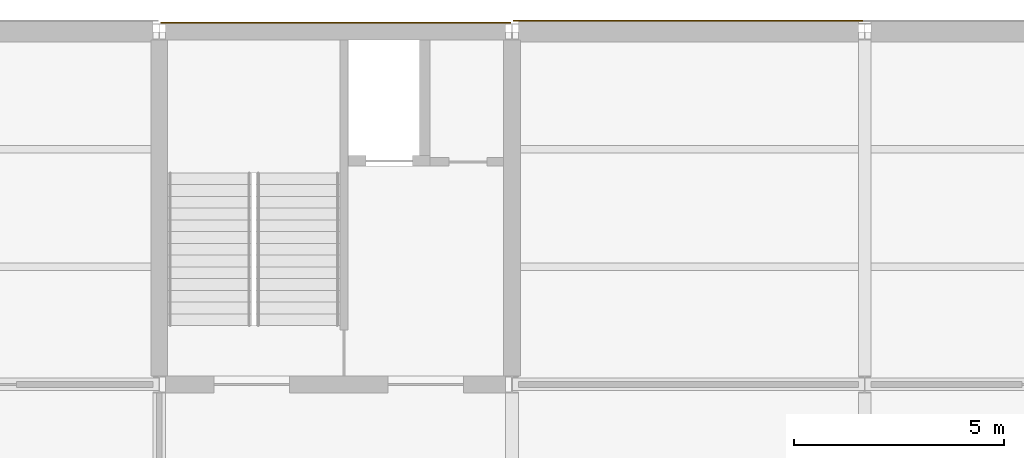
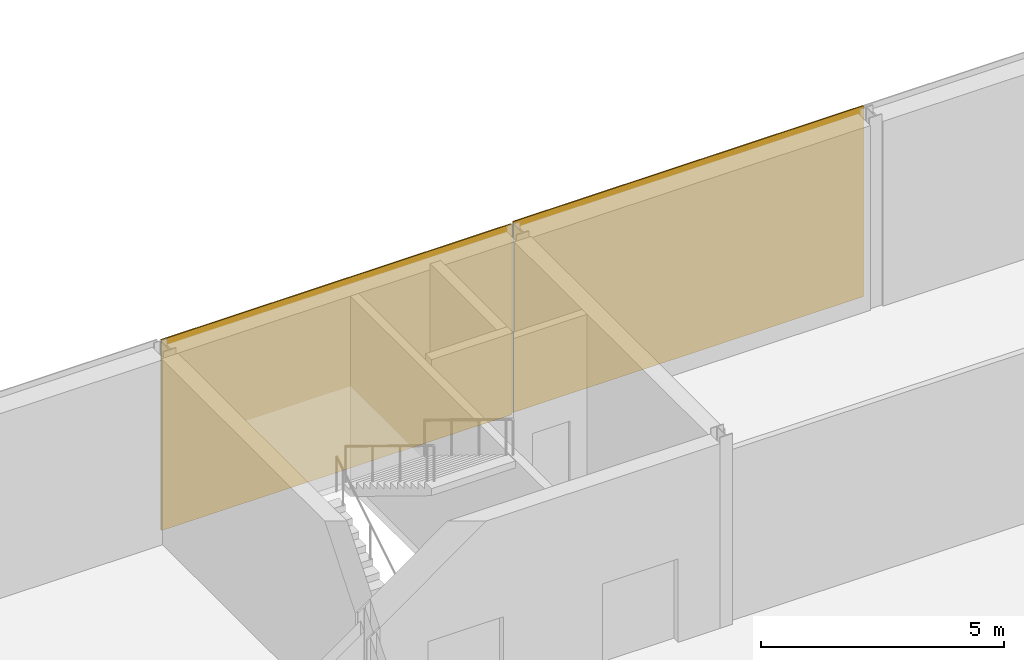
# One storey, part 42 of 57: 2 coverings.
"""IFC4 building model written with IfcOpenShell, lengths in metres."""

import ifcopenshell
import ifcopenshell.guid

model = None  # the IFC model being written
_history = None  # IfcOwnerHistory: only IFC2X3 demands one
_inside = {}  # id of a spatial element -> (the spatial element, [elements in it])
_under = {}  # id of a project, library or spatial element -> (it, [spatial elements below it])
_declared = {}  # id of a project -> (the project, [libraries it declares])
_typed = {}  # id of a type object -> (the type object, [elements of that type])
_made_of = {}  # id of a material, layer set ... -> (it, [elements and type objects made of it])


def new_model(schema):
    """Start an empty IFC model of exactly this schema.

    Asked for "IFC4X3", IfcOpenShell would pick the latest addendum, in which some entities
    have other attributes; the version numbers below select the first issue.
    IFC2X3 requires an IfcOwnerHistory on every rooted entity: one is made here for all.
    """
    global model, _history
    if schema == "IFC4X3":
        model = ifcopenshell.file(schema_version=(4, 3, 0, 0))
    else:
        model = ifcopenshell.file(schema=schema)
    _inside.clear()
    _under.clear()
    _declared.clear()
    _typed.clear()
    _made_of.clear()
    _history = None
    if model.schema == "IFC2X3":
        org = make("IfcOrganization", Name="unknown")
        user = make(
            "IfcPersonAndOrganization",
            ThePerson=make("IfcPerson", FamilyName="unknown"),
            TheOrganization=org,
        )
        app = make(
            "IfcApplication",
            ApplicationDeveloper=org,
            Version="unknown",
            ApplicationFullName="unknown",
            ApplicationIdentifier="unknown",
        )
        _history = make(
            "IfcOwnerHistory",
            OwningUser=user,
            OwningApplication=app,
            ChangeAction="ADDED",
            CreationDate=0,
        )
    return model


def make(cls, **values):
    """One entity of the class cls with the attributes given. An attribute that is None is left unset."""
    return model.create_entity(
        cls, **{name: value for name, value in values.items() if value is not None}
    )


def rooted(cls, **values):
    """An entity with a GlobalId (a new one), such as an element, a storey or a relation."""
    return make(cls, GlobalId=ifcopenshell.guid.new(), OwnerHistory=_history, **values)


def si_unit(unit_type, name, prefix=None):
    """IfcSIUnit, for example si_unit("LENGTHUNIT", "METRE", prefix="MILLI")."""
    return make("IfcSIUnit", UnitType=unit_type, Prefix=prefix, Name=name)


def assignment(units):
    """IfcUnitAssignment: the units of a project."""
    return None if units is None else make("IfcUnitAssignment", Units=units)


def point(xyz):
    """IfcCartesianPoint."""
    return None if xyz is None else make("IfcCartesianPoint", Coordinates=xyz)


def direction(xyz):
    """IfcDirection."""
    return None if xyz is None else make("IfcDirection", DirectionRatios=xyz)


def frame(location, z_axis=None, x_axis=None):
    """IfcAxis2Placement3D, a coordinate frame: its origin and axes. An axis left out is left unset."""
    return make(
        "IfcAxis2Placement3D",
        Location=point(location),
        Axis=direction(z_axis),
        RefDirection=direction(x_axis),
    )


def frame_2d(location, x_axis=None):
    """IfcAxis2Placement2D, a coordinate frame in the plane: its origin and x axis."""
    return make(
        "IfcAxis2Placement2D", Location=point(location), RefDirection=direction(x_axis)
    )


def origin():
    """The frame at (0, 0, 0) with its axes left unset."""
    return frame((0.0, 0.0, 0.0))


def origin_2d():
    """The frame at (0, 0) in the plane with its x axis left unset."""
    return frame_2d((0.0, 0.0))


def place(relative_to, where):
    """IfcLocalPlacement: puts the frame where relative to a parent placement (None: the world)."""
    return make(
        "IfcLocalPlacement", PlacementRelTo=relative_to, RelativePlacement=where
    )


def context(
    kind, dimensions, precision=None, world=None, true_north=None, identifier=None
):
    """IfcGeometricRepresentationContext, for example the 3D "Model" context."""
    return make(
        "IfcGeometricRepresentationContext",
        ContextIdentifier=identifier,
        ContextType=kind,
        CoordinateSpaceDimension=dimensions,
        Precision=precision,
        WorldCoordinateSystem=world,
        TrueNorth=true_north,
    )


def subcontext(parent, identifier, kind, view, scale=None):
    """IfcGeometricRepresentationSubContext, for example "Body" below "Model"."""
    return make(
        "IfcGeometricRepresentationSubContext",
        ContextIdentifier=identifier,
        ContextType=kind,
        ParentContext=parent,
        TargetScale=scale,
        TargetView=view,
    )


def project(units=None, contexts=None):
    """IfcProject with its units and contexts."""
    return rooted(
        "IfcProject",
        Name="project",
        RepresentationContexts=contexts,
        UnitsInContext=assignment(units),
    )


def spatial(cls, under=None, at=None, **own):
    """A site, building, storey or space (cls), placed at a placement, below another one or the project."""
    s = rooted(cls, ObjectPlacement=at, **own)
    if under is not None:
        _under.setdefault(under.id(), (under, []))[1].append(s)
    return s


def profile(cls, at=None, kind="AREA", **sizes):
    """A parametric profile (cls). Its sizes go by their IFC names, for example OverallWidth=200.0."""
    return make(cls, ProfileType=kind, Position=at, **sizes)


def rectangle(**sizes):
    """IfcRectangleProfileDef."""
    return profile("IfcRectangleProfileDef", **sizes)


def extrude(swept, where, along, depth):
    """IfcExtrudedAreaSolid: the profile swept, set in the frame where, extruded along a direction by depth."""
    return make(
        "IfcExtrudedAreaSolid",
        SweptArea=swept,
        Position=where,
        ExtrudedDirection=direction(along),
        Depth=depth,
    )


def shape(context_of_items, identifier, shape_type, items):
    """IfcShapeRepresentation: the items that make up one representation, for example the "Body"."""
    return make(
        "IfcShapeRepresentation",
        ContextOfItems=context_of_items,
        RepresentationIdentifier=identifier,
        RepresentationType=shape_type,
        Items=items,
    )


def material(Name=None, Category=None):
    """IfcMaterial."""
    return make("IfcMaterial", Name=Name, Category=Category)


def layer(
    of_material, thickness, ventilated=None, Name=None, Category=None, Priority=None
):
    """IfcMaterialLayer: one layer of a wall or slab, of a material (None: an air gap)."""
    return make(
        "IfcMaterialLayer",
        Material=of_material,
        LayerThickness=thickness,
        IsVentilated=ventilated,
        Name=Name,
        Category=Category,
        Priority=Priority,
    )


def layer_set(layers, Name=None):
    """IfcMaterialLayerSet."""
    return make("IfcMaterialLayerSet", MaterialLayers=layers, LayerSetName=Name)


def made_of(thing, what):
    """Note that an element or type object is made of a material, layer set ...; save() writes the relation."""
    if what is not None:
        _made_of.setdefault(what.id(), (what, []))[1].append(thing)
    return thing


def type_object(cls, material=None, **own):
    """A type object (cls), such as IfcWallType, which elements share."""
    return made_of(rooted(cls, **own), material)


def element(
    cls,
    number,
    at=None,
    inside=None,
    cuts=None,
    type_object=None,
    material=None,
    context=None,
    identifier="Body",
    shape_type=None,
    held_by="IfcProductDefinitionShape",
    body=None,
    shapes=None,
    **own,
):
    """One element of the class cls, such as IfcWall. Its Tag is "e" and its number.

    at: its placement. inside: the storey or other place that contains it. cuts: it is an
    opening in that element (IfcRelVoidsElement). A single representation is given by context,
    identifier, shape_type and body (its items); several are given by shapes. held_by: the class
    of the entity that holds the representations. save() writes the other relations.
    """
    e = rooted(cls, Tag="e%d" % number, ObjectPlacement=at, **own)
    if body is not None:
        shapes = [shape(context, identifier, shape_type, body)]
    if shapes is not None:
        e.Representation = make(held_by, Representations=shapes)
    if inside is not None:
        _inside.setdefault(inside.id(), (inside, []))[1].append(e)
    if cuts is not None:
        rooted(
            "IfcRelVoidsElement", RelatingBuildingElement=cuts, RelatedOpeningElement=e
        )
    if type_object is not None:
        _typed.setdefault(type_object.id(), (type_object, []))[1].append(e)
    return made_of(e, material)


def aggregate(whole, parts):
    """IfcRelAggregates: a whole, such as a stair, and the parts it consists of."""
    return rooted("IfcRelAggregates", RelatingObject=whole, RelatedObjects=parts)


def save(model, path):
    """Write the relations noted so far, then the file.

    IfcRelAggregates (storeys below a building ...), IfcRelContainedInSpatialStructure (elements
    in a storey), IfcRelDefinesByType, IfcRelAssociatesMaterial and IfcRelDeclares: one each for
    every whole, place, type object, material and project.
    """
    for whole, parts in _under.values():
        aggregate(whole, parts)
    for where, things in _inside.values():
        rooted(
            "IfcRelContainedInSpatialStructure",
            RelatedElements=things,
            RelatingStructure=where,
        )
    for kind, things in _typed.values():
        rooted("IfcRelDefinesByType", RelatedObjects=things, RelatingType=kind)
    for what, things in _made_of.values():
        rooted("IfcRelAssociatesMaterial", RelatedObjects=things, RelatingMaterial=what)
    for by, libraries in _declared.values():
        rooted("IfcRelDeclares", RelatingContext=by, RelatedDefinitions=libraries)
    model.write(path)


model = new_model("IFC4")

# Units and contexts
model_context = context("Model", 3, precision=1e-05, world=origin(), true_north=direction((0.0, 1.0)))
body_context = subcontext(model_context, "Body", "Model", "MODEL_VIEW")
ifc_project = project(units=[si_unit("LENGTHUNIT", "METRE"), si_unit("AREAUNIT", "SQUARE_METRE"), si_unit("VOLUMEUNIT", "CUBIC_METRE"), si_unit("PLANEANGLEUNIT", "RADIAN"), si_unit("MASSUNIT", "GRAM", prefix="KILO")], contexts=[model_context])

# Site, building, storey
site_placement = place(None, origin())
site = spatial("IfcSite", under=ifc_project, at=site_placement, CompositionType="ELEMENT")
building_placement = place(site_placement, origin())
building = spatial("IfcBuilding", under=site, at=building_placement, Name="Galleria Vessillo Department Store", CompositionType="ELEMENT")
storey_placement = place(building_placement, frame((0.0, 0.0, 21.0)))
storey = spatial("IfcBuildingStorey", under=building, at=storey_placement, Name="L04", CompositionType="ELEMENT", Elevation=21.0)

# Coverings
ifc_material = material(Name="Lime plaster (intonaco) ochre")
ifc_layer = layer(ifc_material, 0.030029296875)
ifc_layer_set = layer_set([ifc_layer], Name="Lime plaster (intonaco) ochre")
covering_type = type_object("IfcCoveringType", Name="Lime plaster render 30 mm", PredefinedType="CLADDING", material=ifc_layer_set)
covering_1_placement = place(storey_placement, frame((37.800048828125, 63.215087890625, 0.0), z_axis=(0.0, 0.0, 1.0), x_axis=(1.0, 0.0, 0.0)))
element("IfcCovering", 1, at=covering_1_placement, inside=storey, type_object=covering_type, Name="Wall cladding S-CW-PC-NM-PARTY-L04", PredefinedType="CLADDING", context=body_context, shape_type="SweptSolid", body=[
    extrude(rectangle(XDim=8.33984375, YDim=0.030029296875, at=origin_2d()), origin(), (0.0, 0.0, 1.0), 4.800048828125),
])
covering_2_placement = place(storey_placement, frame((46.199951171875, 63.264892578125, 0.0), z_axis=(0.0, 0.0, 1.0), x_axis=(1.0, 0.0, 0.0)))
element("IfcCovering", 2, at=covering_2_placement, inside=storey, type_object=covering_type, Name="Wall cladding S-PN-L04-04", PredefinedType="CLADDING", context=body_context, shape_type="SweptSolid", body=[
    extrude(rectangle(XDim=8.340087890625, YDim=0.030029296875, at=origin_2d()), origin(), (0.0, 0.0, 1.0), 4.800048828125),
])

save(model, "model.ifc")
